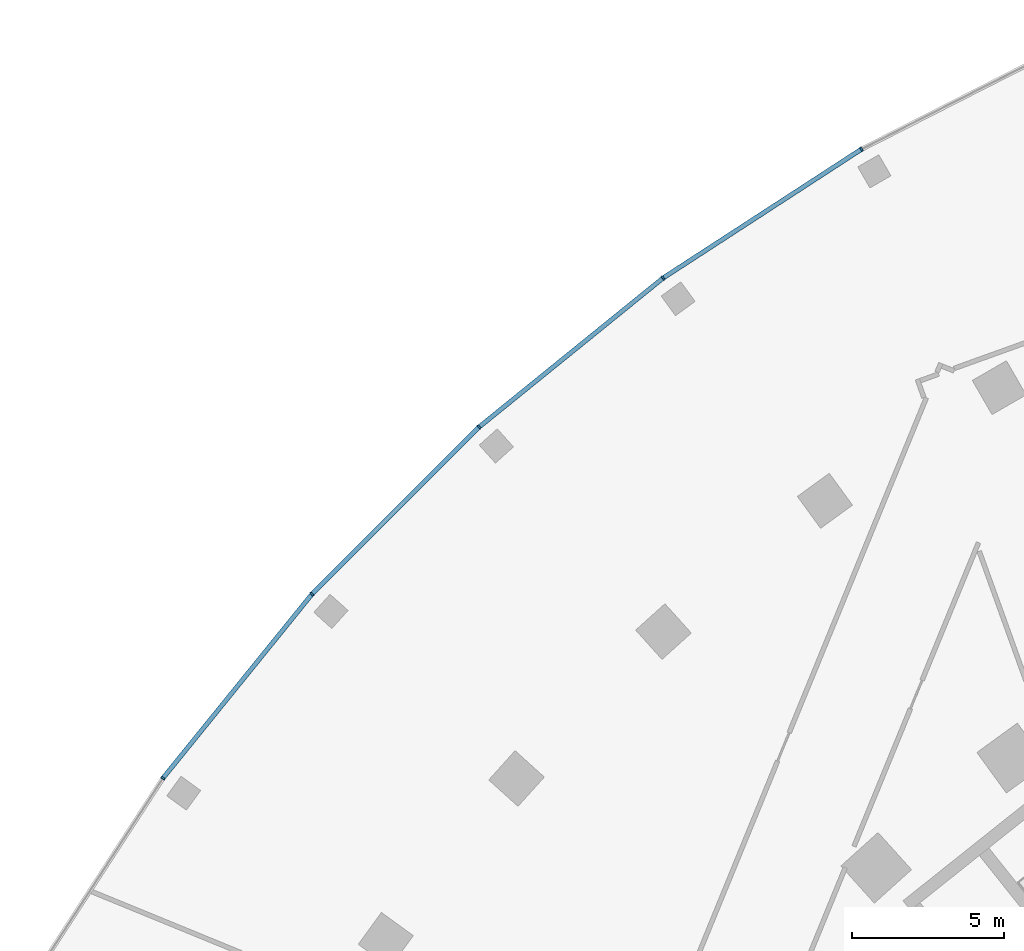
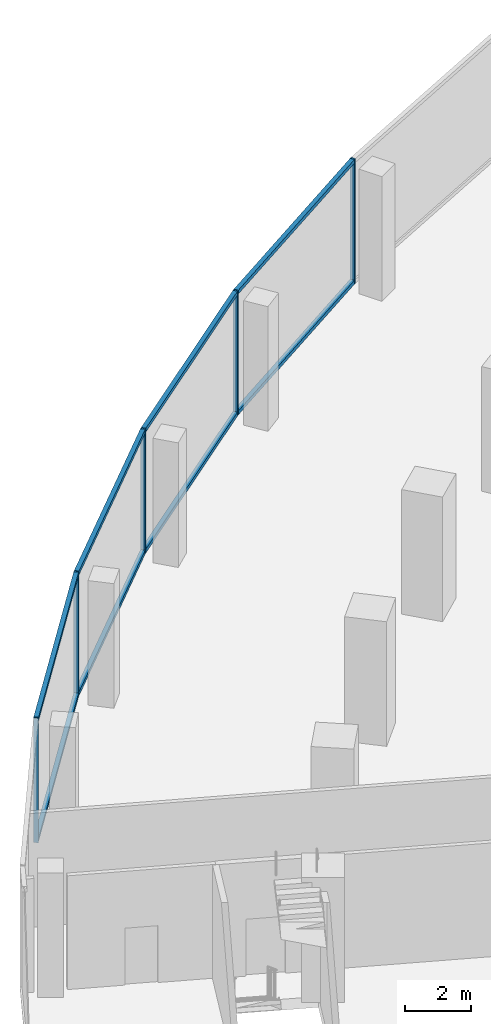
# One storey, part 6 of 39: 13 members, 1 element without a shape of its own.
"""IFC4 building model written with IfcOpenShell, lengths in metres."""

from ifc_helpers import new_model, si_unit, direction, frame, origin, origin_2d, place, context, subcontext, project, spatial, rectangle, extrude, material, layer, layer_set, material_profile, profile_set, type_object, element, aggregate, save


model = new_model("IFC4")

# Units and contexts
model_context = context("Model", 3, precision=1e-05, world=origin(), true_north=direction((0.0, 1.0)))
body_context = subcontext(model_context, "Body", "Model", "MODEL_VIEW")
ifc_project = project(units=[si_unit("LENGTHUNIT", "METRE"), si_unit("AREAUNIT", "SQUARE_METRE"), si_unit("VOLUMEUNIT", "CUBIC_METRE"), si_unit("PLANEANGLEUNIT", "RADIAN"), si_unit("MASSUNIT", "GRAM", prefix="KILO")], contexts=[model_context])

# Site, building, storey
site_placement = place(None, origin())
site = spatial("IfcSite", under=ifc_project, at=site_placement, CompositionType="ELEMENT")
building_placement = place(site_placement, origin())
building = spatial("IfcBuilding", under=site, at=building_placement, Name="Stone Belt Terrace Tower", CompositionType="ELEMENT")
storey_placement = place(building_placement, frame((0.0, 0.0, 16.199951171875)))
storey = spatial("IfcBuildingStorey", under=building, at=storey_placement, Name="L03", CompositionType="ELEMENT", Elevation=16.199951171875)

# Curtain wall, members
ifc_material = material(Name="Aluminium 6063-T6 anodised frame", Category="aluminium")
ifc_layer = layer(ifc_material, 0.14990234375)
ifc_layer_set = layer_set([ifc_layer], Name="CW-D podium shopfront")
curtain_wall_type = type_object("IfcCurtainWallType", Name="CW-D podium shopfront", PredefinedType="NOTDEFINED", material=ifc_layer_set)
curtain_wall_placement = place(storey_placement, origin())
curtain_wall = element("IfcCurtainWall", 1, at=curtain_wall_placement, inside=storey, type_object=curtain_wall_type, Name="CW-D convex face L03", PredefinedType="NOTDEFINED")
ifc_material_profile_1 = material_profile(ifc_material, rectangle(XDim=0.14990234375, YDim=0.06005859375, at=origin_2d()), Name="Aluminium 6063-T6 60x150")
ifc_profile_set_1 = profile_set([ifc_material_profile_1], Name="Aluminium 6063-T6 anodised frame")
member_type_1 = type_object("IfcMemberType", Name="CW-D mullion 60 x 150", PredefinedType="MULLION", material=ifc_profile_set_1)
member_1_placement = place(storey_placement, frame((-37.28759765625, 64.583984375, 0.0), z_axis=(0.0, 0.0, 1.0), x_axis=(0.5, -0.866025403784, 0.0)))
member_1 = element("IfcMember", 2, at=member_1_placement, type_object=member_type_1, Name="CW-D mullion 18", PredefinedType="MULLION", context=body_context, shape_type="SweptSolid", body=[
    extrude(rectangle(XDim=0.14990234375, YDim=0.06005859375, at=origin_2d()), origin(), (0.0, 0.0, 1.0), 4.60009765625),
])
member_2_placement = place(storey_placement, frame((-43.834228515625, 60.33251953125, 0.0), z_axis=(0.0, 0.0, 1.0), x_axis=(0.587785252292, -0.809016994375, 0.0)))
member_2 = element("IfcMember", 3, at=member_2_placement, type_object=member_type_1, Name="CW-D mullion 19", PredefinedType="MULLION", context=body_context, shape_type="SweptSolid", body=[
    extrude(rectangle(XDim=0.14990234375, YDim=0.06005859375, at=origin_2d()), origin(), (0.0, 0.0, 1.0), 4.60009765625),
])
member_3_placement = place(storey_placement, frame((-49.900390625, 55.420166015625, 0.0), z_axis=(0.0, 0.0, 1.0), x_axis=(0.669130606359, -0.743144825477, 0.0)))
member_3 = element("IfcMember", 4, at=member_3_placement, type_object=member_type_1, Name="CW-D mullion 20", PredefinedType="MULLION", context=body_context, shape_type="SweptSolid", body=[
    extrude(rectangle(XDim=0.14990234375, YDim=0.06005859375, at=origin_2d()), origin(), (0.0, 0.0, 1.0), 4.60009765625),
])
member_4_placement = place(storey_placement, frame((-55.420166015625, 49.900390625, 0.0), z_axis=(0.0, 0.0, 1.0), x_axis=(0.743144825477, -0.669130606359, 0.0)))
member_4 = element("IfcMember", 5, at=member_4_placement, type_object=member_type_1, Name="CW-D mullion 21", PredefinedType="MULLION", context=body_context, shape_type="SweptSolid", body=[
    extrude(rectangle(XDim=0.14990234375, YDim=0.06005859375, at=origin_2d()), origin(), (0.0, 0.0, 1.0), 4.60009765625),
])
member_5_placement = place(storey_placement, frame((-60.33251953125, 43.834228515625, 0.0), z_axis=(0.0, 0.0, 1.0), x_axis=(0.809016994375, -0.587785252292, 0.0)))
member_5 = element("IfcMember", 6, at=member_5_placement, type_object=member_type_1, Name="CW-D mullion 22", PredefinedType="MULLION", context=body_context, shape_type="SweptSolid", body=[
    extrude(rectangle(XDim=0.14990234375, YDim=0.06005859375, at=origin_2d()), origin(), (0.0, 0.0, 1.0), 4.60009765625),
])
ifc_material_profile_2 = material_profile(ifc_material, rectangle(XDim=0.14990234375, YDim=0.139892578125, at=origin_2d()), Name="Aluminium 6063-T6 150x140")
ifc_profile_set_2 = profile_set([ifc_material_profile_2], Name="Aluminium 6063-T6 anodised frame")
member_type_2 = type_object("IfcMemberType", Name="CW-D transom 140 x 150", PredefinedType="USERDEFINED", material=ifc_profile_set_2)
member_6_placement = place(storey_placement, frame((-37.31591796875, 64.5654296875, 0.070068359375), z_axis=(-0.83867853224, -0.54462677088, 0.0), x_axis=(0.54462677088, -0.83867853224, 0.0)))
member_6 = element("IfcMember", 7, at=member_6_placement, type_object=member_type_2, Name="CW-D transom 18.1", ObjectType="TRANSOM", PredefinedType="USERDEFINED", context=body_context, shape_type="SweptSolid", body=[
    extrude(rectangle(XDim=0.14990234375, YDim=0.139892578125, at=origin_2d()), origin(), (0.0, 0.0, 1.0), 7.738037109375),
])
member_7_placement = place(storey_placement, frame((-37.31591796875, 64.5654296875, 4.530029296875), z_axis=(-0.83867853224, -0.54462677088, 0.0), x_axis=(0.54462677088, -0.83867853224, 0.0)))
member_7 = element("IfcMember", 8, at=member_7_placement, type_object=member_type_2, Name="CW-D transom 18.2", ObjectType="TRANSOM", PredefinedType="USERDEFINED", context=body_context, shape_type="SweptSolid", body=[
    extrude(rectangle(XDim=0.14990234375, YDim=0.139892578125, at=origin_2d()), origin(), (0.0, 0.0, 1.0), 7.738037109375),
])
member_8_placement = place(storey_placement, frame((-43.860595703125, 60.311279296875, 0.070068359375), z_axis=(-0.777139794023, -0.62932800712, 0.0), x_axis=(0.62932800712, -0.777139794023, 0.0)))
member_8 = element("IfcMember", 9, at=member_8_placement, type_object=member_type_2, Name="CW-D transom 19.1", ObjectType="TRANSOM", PredefinedType="USERDEFINED", context=body_context, shape_type="SweptSolid", body=[
    extrude(rectangle(XDim=0.14990234375, YDim=0.139892578125, at=origin_2d()), origin(), (0.0, 0.0, 1.0), 7.73828125),
])
member_9_placement = place(storey_placement, frame((-43.860595703125, 60.311279296875, 4.530029296875), z_axis=(-0.777139794023, -0.62932800712, 0.0), x_axis=(0.62932800712, -0.777139794023, 0.0)))
member_9 = element("IfcMember", 10, at=member_9_placement, type_object=member_type_2, Name="CW-D transom 19.2", ObjectType="TRANSOM", PredefinedType="USERDEFINED", context=body_context, shape_type="SweptSolid", body=[
    extrude(rectangle(XDim=0.14990234375, YDim=0.139892578125, at=origin_2d()), origin(), (0.0, 0.0, 1.0), 7.73828125),
])
member_10_placement = place(storey_placement, frame((-49.924560546875, 55.396240234375, 0.070068359375), z_axis=(-0.707106781187, -0.707106781187, 0.0), x_axis=(0.707106781187, -0.707106781187, 0.0)))
member_10 = element("IfcMember", 11, at=member_10_placement, type_object=member_type_2, Name="CW-D transom 20.1", ObjectType="TRANSOM", PredefinedType="USERDEFINED", context=body_context, shape_type="SweptSolid", body=[
    extrude(rectangle(XDim=0.14990234375, YDim=0.139892578125, at=origin_2d()), origin(), (0.0, 0.0, 1.0), 7.738037109375),
])
member_11_placement = place(storey_placement, frame((-49.924560546875, 55.396240234375, 4.530029296875), z_axis=(-0.707106781187, -0.707106781187, 0.0), x_axis=(0.707106781187, -0.707106781187, 0.0)))
member_11 = element("IfcMember", 12, at=member_11_placement, type_object=member_type_2, Name="CW-D transom 20.2", ObjectType="TRANSOM", PredefinedType="USERDEFINED", context=body_context, shape_type="SweptSolid", body=[
    extrude(rectangle(XDim=0.14990234375, YDim=0.139892578125, at=origin_2d()), origin(), (0.0, 0.0, 1.0), 7.738037109375),
])
member_12_placement = place(storey_placement, frame((-55.44140625, 49.874267578125, 0.070068359375), z_axis=(-0.62932800712, -0.777139794023, 0.0), x_axis=(0.777139794023, -0.62932800712, 0.0)))
member_12 = element("IfcMember", 13, at=member_12_placement, type_object=member_type_2, Name="CW-D transom 21.1", ObjectType="TRANSOM", PredefinedType="USERDEFINED", context=body_context, shape_type="SweptSolid", body=[
    extrude(rectangle(XDim=0.14990234375, YDim=0.139892578125, at=origin_2d()), origin(), (0.0, 0.0, 1.0), 7.73828125),
])
member_13_placement = place(storey_placement, frame((-55.44140625, 49.874267578125, 4.530029296875), z_axis=(-0.62932800712, -0.777139794023, 0.0), x_axis=(0.777139794023, -0.62932800712, 0.0)))
member_13 = element("IfcMember", 14, at=member_13_placement, type_object=member_type_2, Name="CW-D transom 21.2", ObjectType="TRANSOM", PredefinedType="USERDEFINED", context=body_context, shape_type="SweptSolid", body=[
    extrude(rectangle(XDim=0.14990234375, YDim=0.139892578125, at=origin_2d()), origin(), (0.0, 0.0, 1.0), 7.73828125),
])
aggregate(curtain_wall, [member_1, member_2, member_3, member_4, member_5, member_6, member_7, member_8, member_9, member_10, member_11, member_12, member_13])

save(model, "model.ifc")
